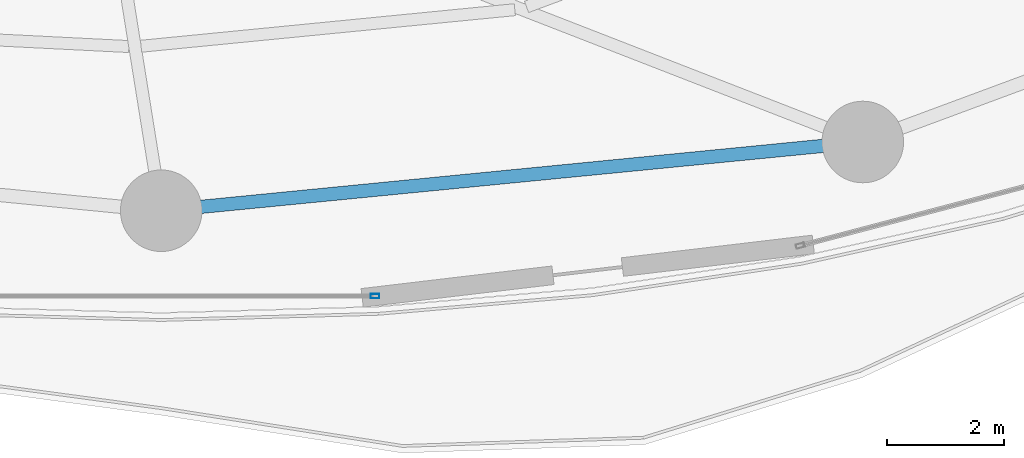
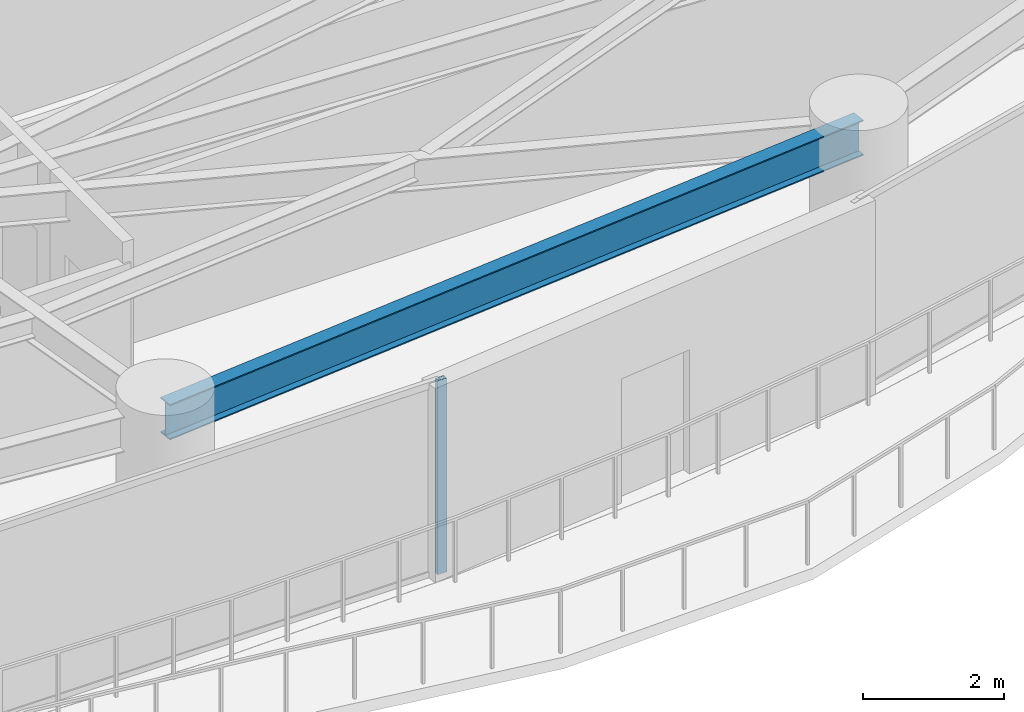
# One storey, part 10 of 30: 1 beam, 1 member, 1 element without a shape of its own.
"""IFC4 building model written with IfcOpenShell, lengths in metres."""

from ifc_helpers import new_model, si_unit, direction, frame, origin, origin_2d, place, context, subcontext, project, spatial, hollow_rectangle, i_section, extrude, material, layer, layer_set, material_profile, profile_set, type_object, element, aggregate, save


model = new_model("IFC4")

# Units and contexts
model_context = context("Model", 3, precision=1e-05, world=origin(), true_north=direction((0.0, 1.0)))
body_context = subcontext(model_context, "Body", "Model", "MODEL_VIEW")
ifc_project = project(units=[si_unit("LENGTHUNIT", "METRE"), si_unit("AREAUNIT", "SQUARE_METRE"), si_unit("VOLUMEUNIT", "CUBIC_METRE"), si_unit("PLANEANGLEUNIT", "RADIAN"), si_unit("MASSUNIT", "GRAM", prefix="KILO")], contexts=[model_context])

# Site, building, storey
site_placement = place(None, origin())
site = spatial("IfcSite", under=ifc_project, at=site_placement, CompositionType="ELEMENT")
building_placement = place(site_placement, origin())
building = spatial("IfcBuilding", under=site, at=building_placement, Name="Kazevale Care Tower and Concert Hall", CompositionType="ELEMENT")
storey_placement = place(building_placement, frame((0.0, 0.0, 70.800048828125)))
storey = spatial("IfcBuildingStorey", under=building, at=storey_placement, Name="L18", CompositionType="ELEMENT", Elevation=70.800048828125)

# Curtain wall, member
ifc_material_1 = material(Name="Aluminium 6063-T6 and Low-E Glass", Category="aluminium")
ifc_layer = layer(ifc_material_1, 0.179931640625)
ifc_layer_set = layer_set([ifc_layer], Name="Aluminium 6063-T6 and Low-E Glass")
curtain_wall_type = type_object("IfcCurtainWallType", Name="Sheltered Concave Balcony Curtain Wall CW-5", PredefinedType="NOTDEFINED", material=ifc_layer_set)
curtain_wall_placement = place(storey_placement, origin())
curtain_wall = element("IfcCurtainWall", 1, at=curtain_wall_placement, inside=storey, type_object=curtain_wall_type, Name="cw:L18:f06", PredefinedType="NOTDEFINED")
ifc_material_2 = material(Name="Aluminium 6063-T6", Category="aluminium")
ifc_material_profile_1 = material_profile(ifc_material_2, hollow_rectangle(XDim=0.074951171875, YDim=0.14990234375, WallThickness=0.00390625, at=origin_2d()), Name="ALU75x150x4")
ifc_profile_set_1 = profile_set([ifc_material_profile_1], Name="Aluminium 6063-T6")
member_type = type_object("IfcMemberType", Name="CW-5 Mullion ALU75x150x4", PredefinedType="MULLION", material=ifc_profile_set_1)
member_placement = place(storey_placement, frame((48.66943359375, 15.885986328125, 0.0), z_axis=(0.0, 0.0, 1.0), x_axis=(0.0, -1.0, 0.0)))
member = element("IfcMember", 2, at=member_placement, type_object=member_type, Name="CW-5 mullion 1", PredefinedType="MULLION", context=body_context, shape_type="SweptSolid", body=[
    extrude(hollow_rectangle(XDim=0.074951171875, YDim=0.14990234375, WallThickness=0.00390625, at=origin_2d()), origin(), (0.0, 0.0, 1.0), 3.35986328125),
])
aggregate(curtain_wall, [member])

# Beam
ifc_material_3 = material(Name="Steel ASTM A572 Gr 50", Category="steel")
ifc_material_profile_2 = material_profile(ifc_material_3, i_section(OverallWidth=0.22900390625, OverallDepth=0.612060546875, WebThickness=0.011962890625, FlangeThickness=0.01953125, at=origin_2d()), Name="W610x125")
ifc_profile_set_2 = profile_set([ifc_material_profile_2], Name="Steel ASTM A572 Gr 50")
beam_type = type_object("IfcBeamType", Name="Ring Spandrel Beam W610x125", PredefinedType="SPANDREL", material=ifc_profile_set_2)
beam_placement = place(storey_placement, frame((45.0, 17.35009765625, 3.053955078125), z_axis=(0.995232251602, 0.09753340644, 0.0), x_axis=(-0.09753340644, 0.995232251602, 0.0)))
element("IfcBeam", 3, at=beam_placement, inside=storey, type_object=beam_type, Name="beam:L18:ring:13", PredefinedType="SPANDREL", context=body_context, shape_type="SweptSolid", body=[
    extrude(i_section(OverallWidth=0.22900390625, OverallDepth=0.612060546875, WebThickness=0.011962890625, FlangeThickness=0.01953125, at=origin_2d()), origin(), (0.0, 0.0, 1.0), 12.09765625),
])

save(model, "model.ifc")
